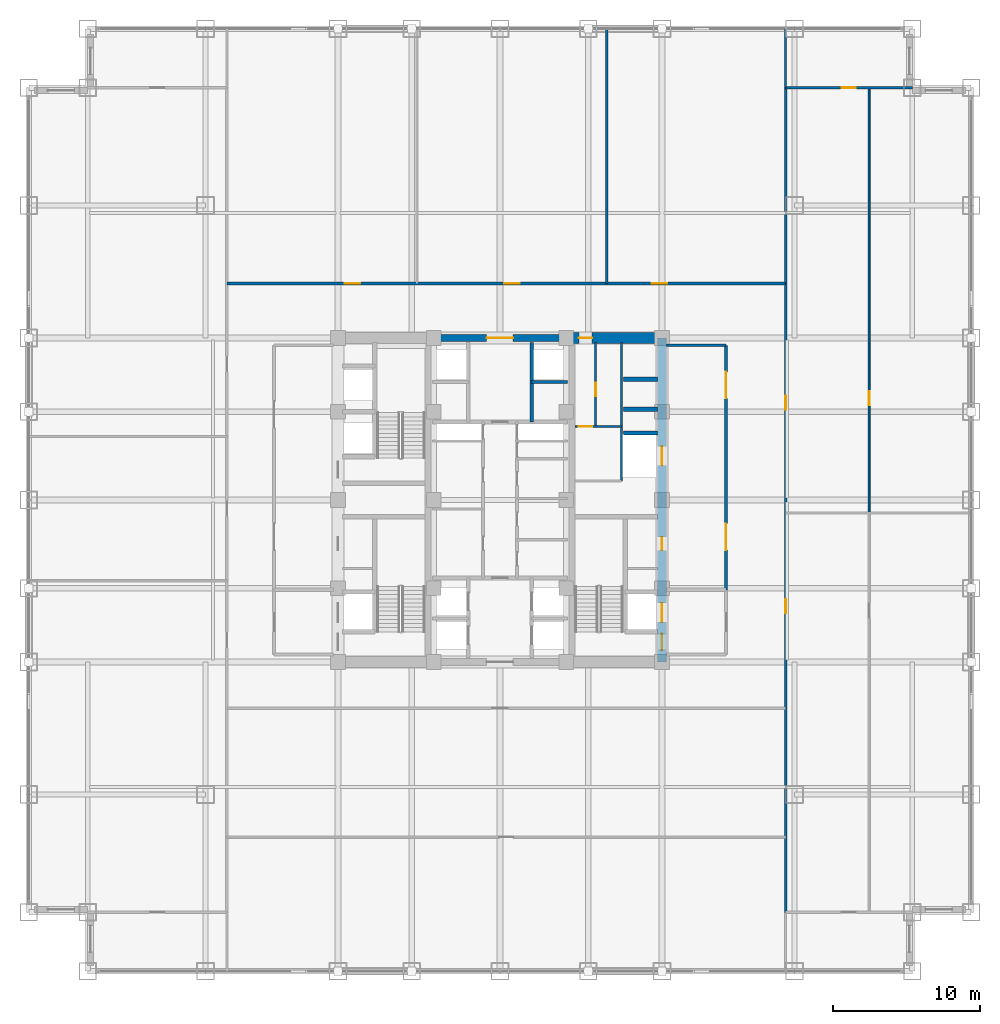
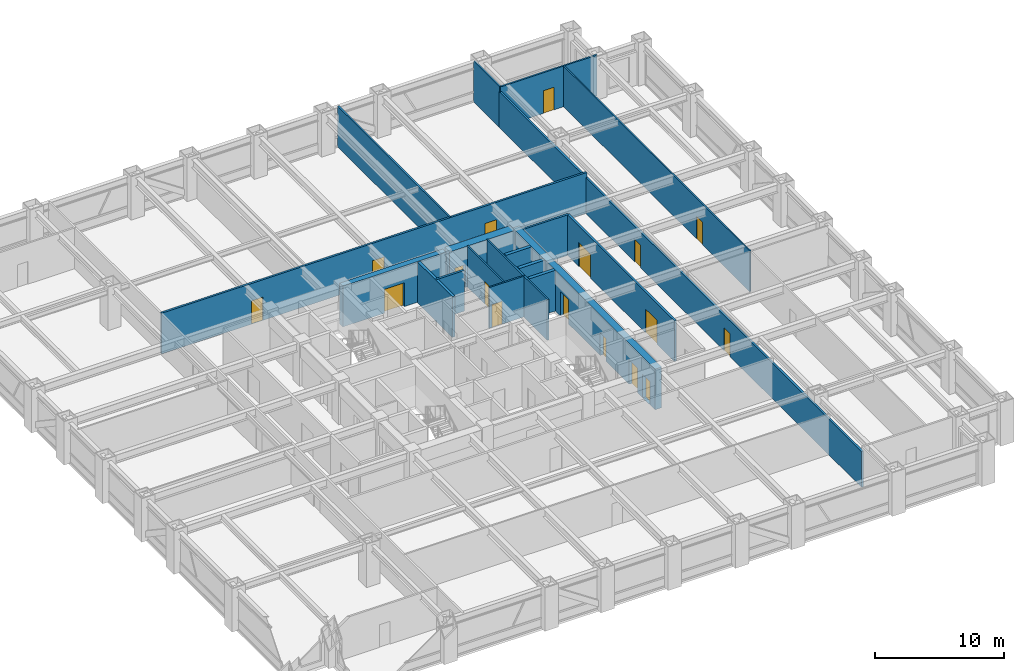
# One storey, part 26 of 28: 19 walls, 17 doors, 17 openings.
"""IFC4 building model written with IfcOpenShell, lengths in metres."""

from ifc_helpers import new_model, si_unit, direction, frame, frame_2d, origin, place, context, subcontext, project, spatial, rectangle, extrude, source, transform, mapped, material, layer, layer_set, type_object, element, fill, save


model = new_model("IFC4")

# Units and contexts
model_context = context("Model", 3, precision=1e-05, world=origin(), true_north=direction((0.0, 1.0)))
body_context = subcontext(model_context, "Body", "Model", "MODEL_VIEW")
ifc_project = project(units=[si_unit("LENGTHUNIT", "METRE"), si_unit("AREAUNIT", "SQUARE_METRE"), si_unit("VOLUMEUNIT", "CUBIC_METRE"), si_unit("PLANEANGLEUNIT", "RADIAN"), si_unit("MASSUNIT", "GRAM", prefix="KILO")], contexts=[model_context])

# Site, building, storey
site_placement = place(None, origin())
site = spatial("IfcSite", under=ifc_project, at=site_placement, CompositionType="ELEMENT")
building_placement = place(site_placement, origin())
building = spatial("IfcBuilding", under=site, at=building_placement, Name="Khorayat Bourse Tower", CompositionType="ELEMENT")
storey_placement = place(building_placement, frame((0.0, 0.0, 116.0)))
storey = spatial("IfcBuildingStorey", under=building, at=storey_placement, Name="L26", CompositionType="ELEMENT", Elevation=116.0)

# Wall, openings, doors
ifc_material_1 = material(Name="Concrete C60/75", Category="concrete")
ifc_layer_1 = layer(ifc_material_1, 0.60009765625)
ifc_layer_set_1 = layer_set([ifc_layer_1], Name="Concrete C60/75")
wall_type_1 = type_object("IfcWallType", Name="WAL-CORE-600", PredefinedType="SHEAR", material=ifc_layer_set_1)
shared_shape_1 = source(origin(), body_context, "Body", "SweptSolid", [
    extrude(rectangle(XDim=22.0, YDim=0.60009765625, at=frame_2d((11.0, 0.0))), origin(), (0.0, 0.0, 1.0), 3.840087890625),
])
wall_1_placement = place(storey_placement, frame((11.0, -11.0, 0.0), z_axis=(0.0, 0.0, 1.0), x_axis=(0.0, 1.0, 0.0)))
wall_1 = element("IfcWall", 1, at=wall_1_placement, inside=storey, type_object=wall_type_1, Name="L26 Core Shear Wall CORE-E", PredefinedType="SHEAR", context=body_context, shape_type="MappedRepresentation", body=[
    mapped(shared_shape_1, transform((0.0, 0.0, 0.0), scale=1.0)),
])
shared_shape_2 = source(origin(), body_context, "Body", "SweptSolid", [
    extrude(rectangle(XDim=1.10009765625, YDim=2.199951171875, at=frame_2d((0.550048828125, 1.10009765625))), frame((0.0, 0.31005859375, 0.0), z_axis=(0.0, -1.0, 0.0), x_axis=(1.0, 0.0, 0.0)), (0.0, 0.0, 1.0), 0.6201171875),
])
opening_1_placement = place(wall_1_placement, frame((0.800048828125, 0.0, 0.0)))
opening_1 = element("IfcOpeningElement", 2, at=opening_1_placement, cuts=wall_1, Name="Opening DI-01", PredefinedType="OPENING", context=body_context, shape_type="MappedRepresentation", body=[
    mapped(shared_shape_2, transform((0.0, 0.0, 0.0), scale=1.0)),
])
shared_shape_3 = source(origin(), body_context, "Body", "SweptSolid", [
    extrude(rectangle(XDim=0.89990234375, YDim=2.14990234375, at=frame_2d((0.449951171875, 1.074951171875))), frame((0.0, 0.31005859375, 0.0), z_axis=(0.0, -1.0, 0.0), x_axis=(1.0, 0.0, 0.0)), (0.0, 0.0, 1.0), 0.6201171875),
])
opening_2_placement = place(wall_1_placement, frame((7.574951171875, 0.0, 0.0)))
opening_2 = element("IfcOpeningElement", 3, at=opening_2_placement, cuts=wall_1, Name="Opening DI-06", PredefinedType="OPENING", context=body_context, shape_type="MappedRepresentation", body=[
    mapped(shared_shape_3, transform((0.0, 0.0, 0.0), scale=1.0)),
])
shared_shape_4 = source(origin(), body_context, "Body", "SweptSolid", [
    extrude(rectangle(XDim=1.300048828125, YDim=2.300048828125, at=frame_2d((0.64990234375, 1.14990234375))), frame((0.0, 0.31005859375, 0.0), z_axis=(0.0, -1.0, 0.0), x_axis=(1.0, 0.0, 0.0)), (0.0, 0.0, 1.0), 0.6201171875),
])
opening_3_placement = place(wall_1_placement, frame((2.699951171875, 0.0, 0.0)))
opening_3 = element("IfcOpeningElement", 4, at=opening_3_placement, cuts=wall_1, Name="Opening LD-02", PredefinedType="OPENING", context=body_context, shape_type="MappedRepresentation", body=[
    mapped(shared_shape_4, transform((0.0, 0.0, 0.0), scale=1.0)),
])
opening_4_placement = place(wall_1_placement, frame((13.35009765625, 0.0, 0.0)))
opening_4 = element("IfcOpeningElement", 5, at=opening_4_placement, cuts=wall_1, Name="Opening LD-02", PredefinedType="OPENING", context=body_context, shape_type="MappedRepresentation", body=[
    mapped(shared_shape_4, transform((0.0, 0.0, 0.0), scale=1.0)),
])
ifc_material_2 = material(Name="Fire-rated steel acoustic leaf", Category="steel")
door_type_1 = type_object("IfcDoorType", Name="DR-INT-STAIR-1100", OperationType="NOTDEFINED", PredefinedType="DOOR", material=ifc_material_2)
shared_shape_5 = source(origin(), body_context, "Body", "SweptSolid", [
    extrude(rectangle(XDim=1.10009765625, YDim=2.199951171875, at=frame_2d((0.550048828125, 1.10009765625))), frame((0.0, 0.02490234375, 0.0), z_axis=(0.0, -1.0, 0.0), x_axis=(1.0, 0.0, 0.0)), (0.0, 0.0, 1.0), 0.050048828125),
])
door_1_placement = place(opening_1_placement, origin())
door_1 = element("IfcDoor", 6, at=door_1_placement, inside=storey, type_object=door_type_1, Name="L26 Exit Stair 3 Door", OperationType="SINGLE_SWING_LEFT", OverallHeight=2.199951171875, OverallWidth=1.10009765625, PredefinedType="DOOR", context=body_context, shape_type="MappedRepresentation", body=[
    mapped(shared_shape_5, transform((0.0, 0.0, 0.0), scale=1.0)),
])
fill(opening_1, door_1)
ifc_material_3 = material(Name="Moisture-resistant laminate washroom door")
door_type_2 = type_object("IfcDoorType", Name="DR-INT-WC-900", OperationType="NOTDEFINED", PredefinedType="DOOR", material=ifc_material_3)
shared_shape_6 = source(origin(), body_context, "Body", "SweptSolid", [
    extrude(rectangle(XDim=0.89990234375, YDim=2.14990234375, at=frame_2d((0.449951171875, 1.074951171875))), frame((0.0, 0.02490234375, 0.0), z_axis=(0.0, -1.0, 0.0), x_axis=(1.0, 0.0, 0.0)), (0.0, 0.0, 1.0), 0.050048828125),
])
door_2_placement = place(opening_2_placement, origin())
door_2 = element("IfcDoor", 7, at=door_2_placement, inside=storey, type_object=door_type_2, Name="L26 Fiber Server Plant Room Door", OperationType="SINGLE_SWING_LEFT", OverallHeight=2.14990234375, OverallWidth=0.89990234375, PredefinedType="DOOR", context=body_context, shape_type="MappedRepresentation", body=[
    mapped(shared_shape_6, transform((0.0, 0.0, 0.0), scale=1.0)),
])
fill(opening_2, door_2)
ifc_material_4 = material(Name="Fire-rated stainless-steel sliding landing door", Category="steel")
door_type_3 = type_object("IfcDoorType", Name="DR-LIFT-FF-1300", OperationType="NOTDEFINED", PredefinedType="DOOR", material=ifc_material_4)
shared_shape_7 = source(origin(), body_context, "Body", "SweptSolid", [
    extrude(rectangle(XDim=1.300048828125, YDim=2.300048828125, at=frame_2d((0.64990234375, 1.14990234375))), frame((0.0, 0.02490234375, 0.0), z_axis=(0.0, -1.0, 0.0), x_axis=(1.0, 0.0, 0.0)), (0.0, 0.0, 1.0), 0.050048828125),
])
door_3_placement = place(opening_3_placement, origin())
door_3 = element("IfcDoor", 8, at=door_3_placement, inside=storey, type_object=door_type_3, Name="L26 Lift FFL-02 Sliding Landing Door", OperationType="SLIDING_TO_LEFT", OverallHeight=2.300048828125, OverallWidth=1.300048828125, PredefinedType="DOOR", context=body_context, shape_type="MappedRepresentation", body=[
    mapped(shared_shape_7, transform((0.0, 0.0, 0.0), scale=1.0)),
])
fill(opening_3, door_3)
door_4_placement = place(opening_4_placement, origin())
door_4 = element("IfcDoor", 9, at=door_4_placement, inside=storey, type_object=door_type_3, Name="L26 Lift SVL-01 Sliding Landing Door", OperationType="SLIDING_TO_LEFT", OverallHeight=2.300048828125, OverallWidth=1.300048828125, PredefinedType="DOOR", context=body_context, shape_type="MappedRepresentation", body=[
    mapped(shared_shape_7, transform((0.0, 0.0, 0.0), scale=1.0)),
])
fill(opening_4, door_4)

# Wall, opening, door
ifc_material_5 = material(Name="Concrete C72/90", Category="concrete")
ifc_layer_2 = layer(ifc_material_5, 0.75)
ifc_layer_set_2 = layer_set([ifc_layer_2], Name="Concrete C72/90")
wall_type_2 = type_object("IfcWallType", Name="WAL-CORE-750", PredefinedType="SHEAR", material=ifc_layer_set_2)
shared_shape_8 = source(origin(), body_context, "Body", "SweptSolid", [
    extrude(rectangle(XDim=5.849853515625, YDim=0.75, at=frame_2d((2.9248046875, 0.0))), origin(), (0.0, 0.0, 1.0), 3.840087890625),
])
wall_2_placement = place(storey_placement, frame((4.85009765625, 11.0, 0.0), z_axis=(0.0, 0.0, 1.0), x_axis=(1.0, 0.0, 0.0)))
wall_2 = element("IfcWall", 10, at=wall_2_placement, inside=storey, type_object=wall_type_2, Name="L26 Core Shear Wall PIER-EN", PredefinedType="SHEAR", context=body_context, shape_type="MappedRepresentation", body=[
    mapped(shared_shape_8, transform((0.0, 0.0, 0.0), scale=1.0)),
])
shared_shape_9 = source(origin(), body_context, "Body", "SweptSolid", [
    extrude(rectangle(XDim=0.89990234375, YDim=2.14990234375, at=frame_2d((0.449951171875, 1.074951171875))), frame((0.0, 0.385009765625, 0.0), z_axis=(0.0, -1.0, 0.0), x_axis=(1.0, 0.0, 0.0)), (0.0, 0.0, 1.0), 0.77001953125),
])
opening_5_placement = place(wall_2_placement, frame((0.5, 0.0, 0.0)))
opening_5 = element("IfcOpeningElement", 11, at=opening_5_placement, cuts=wall_2, Name="Opening DI-06", PredefinedType="OPENING", context=body_context, shape_type="MappedRepresentation", body=[
    mapped(shared_shape_9, transform((0.0, 0.0, 0.0), scale=1.0)),
])
door_5_placement = place(opening_5_placement, origin())
door_5 = element("IfcDoor", 12, at=door_5_placement, inside=storey, type_object=door_type_2, Name="L26 Core Washroom Lobby Door", OperationType="SINGLE_SWING_LEFT", OverallHeight=2.14990234375, OverallWidth=0.89990234375, PredefinedType="DOOR", context=body_context, shape_type="MappedRepresentation", body=[
    mapped(shared_shape_6, transform((0.0, 0.0, 0.0), scale=1.0)),
])
fill(opening_5, door_5)

ifc_material_6 = material(Name="Concrete C52/65", Category="concrete")
ifc_layer_3 = layer(ifc_material_6, 0.5)
ifc_layer_set_3 = layer_set([ifc_layer_3], Name="Concrete C52/65")
wall_type_3 = type_object("IfcWallType", Name="WAL-CORE-500", PredefinedType="SHEAR", material=ifc_layer_set_3)
shared_shape_10 = source(origin(), body_context, "Body", "SweptSolid", [
    extrude(rectangle(XDim=9.2001953125, YDim=0.5, at=frame_2d((4.60009765625, 0.0))), origin(), (0.0, 0.0, 1.0), 3.840087890625),
])
wall_3_placement = place(storey_placement, frame((-4.60009765625, 11.0, 0.0), z_axis=(0.0, 0.0, 1.0), x_axis=(1.0, 0.0, 0.0)))
wall_3 = element("IfcWall", 13, at=wall_3_placement, inside=storey, type_object=wall_type_3, Name="L26 Core Shear Wall CORE-N", PredefinedType="SHEAR", context=body_context, shape_type="MappedRepresentation", body=[
    mapped(shared_shape_10, transform((0.0, 0.0, 0.0), scale=1.0)),
])
shared_shape_11 = source(origin(), body_context, "Body", "SweptSolid", [
    extrude(rectangle(XDim=1.800048828125, YDim=2.25, at=frame_2d((0.89990234375, 1.125))), frame((0.0, 0.260009765625, 0.0), z_axis=(0.0, -1.0, 0.0), x_axis=(1.0, 0.0, 0.0)), (0.0, 0.0, 1.0), 0.52001953125),
])
opening_6_placement = place(wall_3_placement, frame((3.699951171875, 0.0, 0.0)))
opening_6 = element("IfcOpeningElement", 14, at=opening_6_placement, cuts=wall_3, Name="Opening DI-03", PredefinedType="OPENING", context=body_context, shape_type="MappedRepresentation", body=[
    mapped(shared_shape_11, transform((0.0, 0.0, 0.0), scale=1.0)),
])
ifc_material_7 = material(Name="Fire-rated hardwood vision-panel double leaf", Category="wood")
door_type_4 = type_object("IfcDoorType", Name="DR-INT-CORR-1800", OperationType="NOTDEFINED", PredefinedType="DOOR", material=ifc_material_7)
shared_shape_12 = source(origin(), body_context, "Body", "SweptSolid", [
    extrude(rectangle(XDim=1.800048828125, YDim=2.25, at=frame_2d((0.89990234375, 1.125))), frame((0.0, 0.02490234375, 0.0), z_axis=(0.0, -1.0, 0.0), x_axis=(1.0, 0.0, 0.0)), (0.0, 0.0, 1.0), 0.050048828125),
])
door_6_placement = place(opening_6_placement, origin())
door_6 = element("IfcDoor", 15, at=door_6_placement, inside=storey, type_object=door_type_4, Name="L26 Mid-Rise Lift Lobby Door", OperationType="SINGLE_SWING_RIGHT", OverallHeight=2.25, OverallWidth=1.800048828125, PredefinedType="DOOR", context=body_context, shape_type="MappedRepresentation", body=[
    mapped(shared_shape_12, transform((0.0, 0.0, 0.0), scale=1.0)),
])
fill(opening_6, door_6)

# Walls
ifc_material_8 = material(Name="Concrete C50/60", Category="concrete")
ifc_layer_4 = layer(ifc_material_8, 0.300048828125)
ifc_layer_set_4 = layer_set([ifc_layer_4], Name="Concrete C50/60")
wall_type_4 = type_object("IfcWallType", Name="WAL-SHAFT-300", PredefinedType="SHEAR", material=ifc_layer_set_4)
shared_shape_13 = source(origin(), body_context, "Body", "SweptSolid", [
    extrude(rectangle(XDim=2.300048828125, YDim=0.300048828125, at=frame_2d((1.14990234375, 0.0))), origin(), (0.0, 0.0, 1.0), 3.840087890625),
])
for number, where, z_axis, x_axis, name in (
    (16, (8.39990234375, 4.550048828125, 0.0), (0.0, 0.0, 1.0), (1.0, 0.0, 0.0), "L26 Partition WAL-L26-EPIER-SVLN"),
    (17, (8.39990234375, 6.14990234375, 0.0), (0.0, 0.0, 1.0), (1.0, 0.0, 0.0), "L26 Partition WAL-L26-EPIER-H3S"),
    (18, (8.39990234375, 8.199951171875, 0.0), (0.0, 0.0, 1.0), (1.0, 0.0, 0.0), "L26 Partition WAL-L26-EPIER-H34"),
):
    element("IfcWall", number, at=place(storey_placement, frame(where, z_axis=z_axis, x_axis=x_axis)), inside=storey, type_object=wall_type_4, Name=name, PredefinedType="SHEAR", context=body_context, shape_type="MappedRepresentation", body=[
        mapped(shared_shape_13, transform((0.0, 0.0, 0.0), scale=1.0)),
    ])
ifc_material_9 = material(Name="Moisture-resistant masonry partition", Category="masonry")
ifc_layer_5 = layer(ifc_material_9, 0.139892578125)
ifc_layer_set_5 = layer_set([ifc_layer_5], Name="Moisture-resistant masonry partition")
wall_type_5 = type_object("IfcWallType", Name="WAL-PART-WET-140", PredefinedType="PARTITIONING", material=ifc_layer_set_5)
shared_shape_14 = source(origin(), body_context, "Body", "SweptSolid", [
    extrude(rectangle(XDim=9.39990234375, YDim=0.139892578125, at=frame_2d((4.699951171875, 0.0))), origin(), (0.0, 0.0, 1.0), 3.840087890625),
])
wall_4_placement = place(storey_placement, frame((8.25, 1.300048828125, 0.0), z_axis=(0.0, 0.0, 1.0), x_axis=(0.0, 1.0, 0.0)))
element("IfcWall", 19, at=wall_4_placement, inside=storey, type_object=wall_type_5, Name="L26 Partition WAL-L26-ECORE-E", PredefinedType="PARTITIONING", context=body_context, shape_type="MappedRepresentation", body=[
    mapped(shared_shape_14, transform((0.0, 0.0, 0.0), scale=1.0)),
])

# Wall, opening, door
shared_shape_15 = source(origin(), body_context, "Body", "SweptSolid", [
    extrude(rectangle(XDim=3.14990234375, YDim=0.139892578125, at=frame_2d((1.574951171875, 0.0))), origin(), (0.0, 0.0, 1.0), 3.840087890625),
])
wall_5_placement = place(storey_placement, frame((5.10009765625, 5.0, 0.0), z_axis=(0.0, 0.0, 1.0), x_axis=(1.0, 0.0, 0.0)))
wall_5 = element("IfcWall", 20, at=wall_5_placement, inside=storey, type_object=wall_type_5, Name="L26 Partition WAL-L26-ECW-BOT", PredefinedType="PARTITIONING", context=body_context, shape_type="MappedRepresentation", body=[
    mapped(shared_shape_15, transform((0.0, 0.0, 0.0), scale=1.0)),
])
shared_shape_16 = source(origin(), body_context, "Body", "SweptSolid", [
    extrude(rectangle(XDim=0.89990234375, YDim=2.14990234375, at=frame_2d((0.449951171875, 1.074951171875))), frame((0.0, 0.079833984375, 0.0), z_axis=(0.0, -1.0, 0.0), x_axis=(1.0, 0.0, 0.0)), (0.0, 0.0, 1.0), 0.159912109375),
])
opening_7_placement = place(wall_5_placement, frame((0.25, 0.0, 0.0)))
opening_7 = element("IfcOpeningElement", 21, at=opening_7_placement, cuts=wall_5, Name="Opening DI-06", PredefinedType="OPENING", context=body_context, shape_type="MappedRepresentation", body=[
    mapped(shared_shape_16, transform((0.0, 0.0, 0.0), scale=1.0)),
])
door_7_placement = place(opening_7_placement, origin())
door_7 = element("IfcDoor", 22, at=door_7_placement, inside=storey, type_object=door_type_2, Name="L26 Shared Washroom Door", OperationType="SINGLE_SWING_LEFT", OverallHeight=2.14990234375, OverallWidth=0.89990234375, PredefinedType="DOOR", context=body_context, shape_type="MappedRepresentation", body=[
    mapped(shared_shape_6, transform((0.0, 0.0, 0.0), scale=1.0)),
])
fill(opening_7, door_7)

# Wall
ifc_material_10 = material(Name="Gypsum plasterboard acoustic stud wall")
ifc_layer_6 = layer(ifc_material_10, 0.179931640625)
ifc_layer_set_6 = layer_set([ifc_layer_6], Name="Gypsum plasterboard acoustic stud wall")
wall_type_6 = type_object("IfcWallType", Name="WAL-PART-CORR-180", PredefinedType="PARTITIONING", material=ifc_layer_set_6)
shared_shape_17 = source(origin(), body_context, "Body", "SweptSolid", [
    extrude(rectangle(XDim=4.050048828125, YDim=0.179931640625, at=frame_2d((2.02490234375, 0.0))), origin(), (0.0, 0.0, 1.0), 3.840087890625),
])
wall_6_placement = place(storey_placement, frame((11.300048828125, 10.5, 0.0), z_axis=(0.0, 0.0, 1.0), x_axis=(1.0, 0.0, 0.0)))
element("IfcWall", 23, at=wall_6_placement, inside=storey, type_object=wall_type_6, Name="L26 Partition WAL-L26-ELOB-N", PredefinedType="PARTITIONING", context=body_context, shape_type="MappedRepresentation", body=[
    mapped(shared_shape_17, transform((0.0, 0.0, 0.0), scale=1.0)),
])

# Wall, openings, doors
shared_shape_18 = source(origin(), body_context, "Body", "SweptSolid", [
    extrude(rectangle(XDim=16.60009765625, YDim=0.179931640625, at=frame_2d((8.300048828125, 0.0))), origin(), (0.0, 0.0, 1.0), 3.840087890625),
])
wall_7_placement = place(storey_placement, frame((15.35009765625, -6.10009765625, 0.0), z_axis=(0.0, 0.0, 1.0), x_axis=(0.0, 1.0, 0.0)))
wall_7 = element("IfcWall", 24, at=wall_7_placement, inside=storey, type_object=wall_type_6, Name="L26 Partition WAL-L26-ELOB-E", PredefinedType="PARTITIONING", context=body_context, shape_type="MappedRepresentation", body=[
    mapped(shared_shape_18, transform((0.0, 0.0, 0.0), scale=1.0)),
])
shared_shape_19 = source(origin(), body_context, "Body", "SweptSolid", [
    extrude(rectangle(XDim=1.800048828125, YDim=2.25, at=frame_2d((0.89990234375, 1.125))), frame((0.0, 0.099853515625, 0.0), z_axis=(0.0, -1.0, 0.0), x_axis=(1.0, 0.0, 0.0)), (0.0, 0.0, 1.0), 0.199951171875),
])
opening_8_placement = place(wall_7_placement, frame((2.699951171875, 0.0, 0.0)))
opening_8 = element("IfcOpeningElement", 25, at=opening_8_placement, cuts=wall_7, Name="Opening DI-03", PredefinedType="OPENING", context=body_context, shape_type="MappedRepresentation", body=[
    mapped(shared_shape_19, transform((0.0, 0.0, 0.0), scale=1.0)),
])
opening_9_placement = place(wall_7_placement, frame((13.0, 0.0, 0.0)))
opening_9 = element("IfcOpeningElement", 26, at=opening_9_placement, cuts=wall_7, Name="Opening DI-03", PredefinedType="OPENING", context=body_context, shape_type="MappedRepresentation", body=[
    mapped(shared_shape_19, transform((0.0, 0.0, 0.0), scale=1.0)),
])
door_8_placement = place(opening_8_placement, origin())
door_8 = element("IfcDoor", 27, at=door_8_placement, inside=storey, type_object=door_type_4, Name="L26 East Core Lobby South Door", OperationType="SINGLE_SWING_RIGHT", OverallHeight=2.25, OverallWidth=1.800048828125, PredefinedType="DOOR", context=body_context, shape_type="MappedRepresentation", body=[
    mapped(shared_shape_12, transform((0.0, 0.0, 0.0), scale=1.0)),
])
fill(opening_8, door_8)
door_9_placement = place(opening_9_placement, origin())
door_9 = element("IfcDoor", 28, at=door_9_placement, inside=storey, type_object=door_type_4, Name="L26 East Core Lobby North Door", OperationType="SINGLE_SWING_LEFT", OverallHeight=2.25, OverallWidth=1.800048828125, PredefinedType="DOOR", context=body_context, shape_type="MappedRepresentation", body=[
    mapped(shared_shape_12, transform((0.0, 0.0, 0.0), scale=1.0)),
])
fill(opening_9, door_9)

# Walls
shared_shape_20 = source(origin(), body_context, "Body", "SweptSolid", [
    extrude(rectangle(XDim=5.39990234375, YDim=0.25, at=frame_2d((2.699951171875, 0.0))), origin(), (0.0, 0.0, 1.0), 3.840087890625),
])
wall_8_placement = place(storey_placement, frame((2.14990234375, 5.300048828125, 0.0), z_axis=(0.0, 0.0, 1.0), x_axis=(0.0, 1.0, 0.0)))
element("IfcWall", 29, at=wall_8_placement, inside=storey, type_object=wall_type_4, Name="L26 Partition WAL-L26-B2-E", PredefinedType="SHEAR", context=body_context, shape_type="MappedRepresentation", body=[
    mapped(shared_shape_20, transform((0.0, 0.0, 0.0), scale=1.0)),
])
shared_shape_21 = source(origin(), body_context, "Body", "SweptSolid", [
    extrude(rectangle(XDim=2.4501953125, YDim=0.199951171875, at=frame_2d((1.22509765625, 0.0))), origin(), (0.0, 0.0, 1.0), 3.840087890625),
])
wall_9_placement = place(storey_placement, frame((2.14990234375, 8.0, 0.0), z_axis=(0.0, 0.0, 1.0), x_axis=(1.0, 0.0, 0.0)))
element("IfcWall", 30, at=wall_9_placement, inside=storey, type_object=wall_type_4, Name="L26 Partition WAL-L26-B2-ME", PredefinedType="SHEAR", context=body_context, shape_type="MappedRepresentation", body=[
    mapped(shared_shape_21, transform((0.0, 0.0, 0.0), scale=1.0)),
])
ifc_material_11 = material(Name="Gypsum plasterboard twin-frame partition")
ifc_layer_7 = layer(ifc_material_11, 0.14990234375)
ifc_layer_set_7 = layer_set([ifc_layer_7], Name="Gypsum plasterboard twin-frame partition")
wall_type_7 = type_object("IfcWallType", Name="WAL-PART-SUITE-150", PredefinedType="PARTITIONING", material=ifc_layer_set_7)
shared_shape_22 = source(origin(), body_context, "Body", "SweptSolid", [
    extrude(rectangle(XDim=4.0, YDim=0.14990234375, at=frame_2d((2.0, 0.0))), origin(), (0.0, 0.0, 1.0), 3.840087890625),
])
wall_10_placement = place(storey_placement, frame((19.39990234375, 28.0, 0.0), z_axis=(0.0, 0.0, 1.0), x_axis=(0.0, 1.0, 0.0)))
element("IfcWall", 31, at=wall_10_placement, inside=storey, type_object=wall_type_7, Name="L26 Partition WAL-L26-NCE-END", PredefinedType="PARTITIONING", context=body_context, shape_type="MappedRepresentation", body=[
    mapped(shared_shape_22, transform((0.0, 0.0, 0.0), scale=1.0)),
])

# Wall, openings, doors
shared_shape_23 = source(origin(), body_context, "Body", "SweptSolid", [
    extrude(rectangle(XDim=56.0, YDim=0.179931640625, at=frame_2d((28.0, 0.0))), origin(), (0.0, 0.0, 1.0), 3.37109375),
])
wall_11_placement = place(storey_placement, frame((19.39990234375, -28.0, 0.0), z_axis=(0.0, 0.0, 1.0), x_axis=(0.0, 1.0, 0.0)))
wall_11 = element("IfcWall", 32, at=wall_11_placement, inside=storey, type_object=wall_type_6, Name="L26 Partition WAL-L26-ECORR", PredefinedType="PARTITIONING", context=body_context, shape_type="MappedRepresentation", body=[
    mapped(shared_shape_23, transform((0.0, 0.0, 0.0), scale=1.0)),
])
shared_shape_24 = source(origin(), body_context, "Body", "SweptSolid", [
    extrude(rectangle(XDim=0.949951171875, YDim=2.14990234375, at=frame_2d((0.47509765625, 1.074951171875))), frame((0.0, 0.099853515625, 0.0), z_axis=(0.0, -1.0, 0.0), x_axis=(1.0, 0.0, 0.0)), (0.0, 0.0, 1.0), 0.199951171875),
])
opening_10_placement = place(wall_11_placement, frame((20.310546875, 0.0, 0.0)))
opening_10 = element("IfcOpeningElement", 33, at=opening_10_placement, cuts=wall_11, Name="Opening DI-05", PredefinedType="OPENING", context=body_context, shape_type="MappedRepresentation", body=[
    mapped(shared_shape_24, transform((0.0, 0.0, 0.0), scale=1.0)),
])
opening_11_placement = place(wall_11_placement, frame((34.135498046875, 0.0, 0.0)))
opening_11 = element("IfcOpeningElement", 34, at=opening_11_placement, cuts=wall_11, Name="Opening DI-05", PredefinedType="OPENING", context=body_context, shape_type="MappedRepresentation", body=[
    mapped(shared_shape_24, transform((0.0, 0.0, 0.0), scale=1.0)),
])
ifc_material_12 = material(Name="Acoustic oak veneer office door")
door_type_5 = type_object("IfcDoorType", Name="DR-INT-OFFICE-950", OperationType="NOTDEFINED", PredefinedType="DOOR", material=ifc_material_12)
shared_shape_25 = source(origin(), body_context, "Body", "SweptSolid", [
    extrude(rectangle(XDim=0.949951171875, YDim=2.14990234375, at=frame_2d((0.47509765625, 1.074951171875))), frame((0.0, 0.02490234375, 0.0), z_axis=(0.0, -1.0, 0.0), x_axis=(1.0, 0.0, 0.0)), (0.0, 0.0, 1.0), 0.050048828125),
])
door_10_placement = place(opening_10_placement, origin())
door_10 = element("IfcDoor", 35, at=door_10_placement, inside=storey, type_object=door_type_5, Name="L26 Clearing Operations Office E1 Door", OperationType="SINGLE_SWING_RIGHT", OverallHeight=2.14990234375, OverallWidth=0.949951171875, PredefinedType="DOOR", context=body_context, shape_type="MappedRepresentation", body=[
    mapped(shared_shape_25, transform((0.0, 0.0, 0.0), scale=1.0)),
])
fill(opening_10, door_10)
door_11_placement = place(opening_11_placement, origin())
door_11 = element("IfcDoor", 36, at=door_11_placement, inside=storey, type_object=door_type_5, Name="L26 Members Exchange Lounge E2 Door", OperationType="SINGLE_SWING_LEFT", OverallHeight=2.14990234375, OverallWidth=0.949951171875, PredefinedType="DOOR", context=body_context, shape_type="MappedRepresentation", body=[
    mapped(shared_shape_25, transform((0.0, 0.0, 0.0), scale=1.0)),
])
fill(opening_11, door_11)

# Wall, opening, door
shared_shape_26 = source(origin(), body_context, "Body", "SweptSolid", [
    extrude(rectangle(XDim=8.60009765625, YDim=0.14990234375, at=frame_2d((4.300048828125, 0.0))), origin(), (0.0, 0.0, 1.0), 3.840087890625),
])
wall_12_placement = place(storey_placement, frame((19.39990234375, 28.0, 0.0), z_axis=(0.0, 0.0, 1.0), x_axis=(1.0, 0.0, 0.0)))
wall_12 = element("IfcWall", 37, at=wall_12_placement, inside=storey, type_object=wall_type_7, Name="L26 Partition WAL-L26-CNE", PredefinedType="PARTITIONING", context=body_context, shape_type="MappedRepresentation", body=[
    mapped(shared_shape_26, transform((0.0, 0.0, 0.0), scale=1.0)),
])
shared_shape_27 = source(origin(), body_context, "Body", "SweptSolid", [
    extrude(rectangle(XDim=0.949951171875, YDim=2.14990234375, at=frame_2d((0.47509765625, 1.074951171875))), frame((0.0, 0.0849609375, 0.0), z_axis=(0.0, -1.0, 0.0), x_axis=(1.0, 0.0, 0.0)), (0.0, 0.0, 1.0), 0.169921875),
])
opening_12_placement = place(wall_12_placement, frame((3.824951171875, 0.0, 0.0)))
opening_12 = element("IfcOpeningElement", 38, at=opening_12_placement, cuts=wall_12, Name="Opening DI-05", PredefinedType="OPENING", context=body_context, shape_type="MappedRepresentation", body=[
    mapped(shared_shape_27, transform((0.0, 0.0, 0.0), scale=1.0)),
])
door_12_placement = place(opening_12_placement, origin())
door_12 = element("IfcDoor", 39, at=door_12_placement, inside=storey, type_object=door_type_5, Name="L26 North-East Corner Lounge Door", OperationType="SINGLE_SWING_LEFT", OverallHeight=2.14990234375, OverallWidth=0.949951171875, PredefinedType="DOOR", context=body_context, shape_type="MappedRepresentation", body=[
    mapped(shared_shape_25, transform((0.0, 0.0, 0.0), scale=1.0)),
])
fill(opening_12, door_12)

shared_shape_28 = source(origin(), body_context, "Body", "SweptSolid", [
    extrude(rectangle(XDim=5.699951171875, YDim=0.139892578125, at=frame_2d((2.85009765625, 0.0))), origin(), (0.0, 0.0, 1.0), 3.840087890625),
])
wall_13_placement = place(storey_placement, frame((6.5, 5.0, 0.0), z_axis=(0.0, 0.0, 1.0), x_axis=(0.0, 1.0, 0.0)))
wall_13 = element("IfcWall", 40, at=wall_13_placement, inside=storey, type_object=wall_type_5, Name="L26 Partition WAL-L26-ECW-MID", PredefinedType="PARTITIONING", context=body_context, shape_type="MappedRepresentation", body=[
    mapped(shared_shape_28, transform((0.0, 0.0, 0.0), scale=1.0)),
])
opening_13_placement = place(wall_13_placement, frame((2.050048828125, 0.0, 0.0)))
opening_13 = element("IfcOpeningElement", 41, at=opening_13_placement, cuts=wall_13, Name="Opening DI-06", PredefinedType="OPENING", context=body_context, shape_type="MappedRepresentation", body=[
    mapped(shared_shape_16, transform((0.0, 0.0, 0.0), scale=1.0)),
])
door_13_placement = place(opening_13_placement, origin())
door_13 = element("IfcDoor", 42, at=door_13_placement, inside=storey, type_object=door_type_2, Name="L26 Accessible WC Door", OperationType="SINGLE_SWING_RIGHT", OverallHeight=2.14990234375, OverallWidth=0.89990234375, PredefinedType="DOOR", context=body_context, shape_type="MappedRepresentation", body=[
    mapped(shared_shape_6, transform((0.0, 0.0, 0.0), scale=1.0)),
])
fill(opening_13, door_13)

# Wall, openings, doors
shared_shape_29 = source(origin(), body_context, "Body", "SweptSolid", [
    extrude(rectangle(XDim=37.949951171875, YDim=0.179931640625, at=frame_2d((18.97509765625, 0.0))), origin(), (0.0, 0.0, 1.0), 3.840087890625),
])
wall_14_placement = place(storey_placement, frame((-18.550048828125, 14.699951171875, 0.0), z_axis=(0.0, 0.0, 1.0), x_axis=(1.0, 0.0, 0.0)))
wall_14 = element("IfcWall", 43, at=wall_14_placement, inside=storey, type_object=wall_type_6, Name="L26 Partition WAL-L26-NCORR", PredefinedType="PARTITIONING", context=body_context, shape_type="MappedRepresentation", body=[
    mapped(shared_shape_29, transform((0.0, 0.0, 0.0), scale=1.0)),
])
shared_shape_30 = source(origin(), body_context, "Body", "SweptSolid", [
    extrude(rectangle(XDim=1.050048828125, YDim=2.199951171875, at=frame_2d((0.52490234375, 1.10009765625))), frame((0.0, 0.099853515625, 0.0), z_axis=(0.0, -1.0, 0.0), x_axis=(1.0, 0.0, 0.0)), (0.0, 0.0, 1.0), 0.199951171875),
])
opening_14_placement = place(wall_14_placement, frame((8.00146484375, 0.0, 0.0)))
opening_14 = element("IfcOpeningElement", 44, at=opening_14_placement, cuts=wall_14, Name="Opening DI-04", PredefinedType="OPENING", context=body_context, shape_type="MappedRepresentation", body=[
    mapped(shared_shape_30, transform((0.0, 0.0, 0.0), scale=1.0)),
])
opening_15_placement = place(wall_14_placement, frame((18.82958984375, 0.0, 0.0)))
opening_15 = element("IfcOpeningElement", 45, at=opening_15_placement, cuts=wall_14, Name="Opening DI-04", PredefinedType="OPENING", context=body_context, shape_type="MappedRepresentation", body=[
    mapped(shared_shape_30, transform((0.0, 0.0, 0.0), scale=1.0)),
])
opening_16_placement = place(wall_14_placement, frame((28.85302734375, 0.0, 0.0)))
opening_16 = element("IfcOpeningElement", 46, at=opening_16_placement, cuts=wall_14, Name="Opening DI-04", PredefinedType="OPENING", context=body_context, shape_type="MappedRepresentation", body=[
    mapped(shared_shape_30, transform((0.0, 0.0, 0.0), scale=1.0)),
])
ifc_material_13 = material(Name="Fire-rated oak veneer suite entrance door")
door_type_6 = type_object("IfcDoorType", Name="DR-INT-SUITE-1050", OperationType="NOTDEFINED", PredefinedType="DOOR", material=ifc_material_13)
shared_shape_31 = source(origin(), body_context, "Body", "SweptSolid", [
    extrude(rectangle(XDim=1.050048828125, YDim=2.199951171875, at=frame_2d((0.52490234375, 1.10009765625))), frame((0.0, 0.02490234375, 0.0), z_axis=(0.0, -1.0, 0.0), x_axis=(1.0, 0.0, 0.0)), (0.0, 0.0, 1.0), 0.050048828125),
])
door_14_placement = place(opening_14_placement, origin())
door_14 = element("IfcDoor", 47, at=door_14_placement, inside=storey, type_object=door_type_6, Name="L26 Market Risk Analytics Workspace N1 Door", OperationType="SINGLE_SWING_RIGHT", OverallHeight=2.199951171875, OverallWidth=1.050048828125, PredefinedType="DOOR", context=body_context, shape_type="MappedRepresentation", body=[
    mapped(shared_shape_31, transform((0.0, 0.0, 0.0), scale=1.0)),
])
fill(opening_14, door_14)
door_15_placement = place(opening_15_placement, origin())
door_15 = element("IfcDoor", 48, at=door_15_placement, inside=storey, type_object=door_type_6, Name="L26 Equities Trading Desk N2 Door", OperationType="SINGLE_SWING_LEFT", OverallHeight=2.199951171875, OverallWidth=1.050048828125, PredefinedType="DOOR", context=body_context, shape_type="MappedRepresentation", body=[
    mapped(shared_shape_31, transform((0.0, 0.0, 0.0), scale=1.0)),
])
fill(opening_15, door_15)
door_16_placement = place(opening_16_placement, origin())
door_16 = element("IfcDoor", 49, at=door_16_placement, inside=storey, type_object=door_type_6, Name="L26 Quantitative Research Study N3 Door", OperationType="SINGLE_SWING_RIGHT", OverallHeight=2.199951171875, OverallWidth=1.050048828125, PredefinedType="DOOR", context=body_context, shape_type="MappedRepresentation", body=[
    mapped(shared_shape_31, transform((0.0, 0.0, 0.0), scale=1.0)),
])
fill(opening_16, door_16)

# Wall
shared_shape_32 = source(origin(), body_context, "Body", "SweptSolid", [
    extrude(rectangle(XDim=17.300048828125, YDim=0.14990234375, at=frame_2d((8.64990234375, 0.0))), origin(), (0.0, 0.0, 1.0), 3.840087890625),
])
wall_15_placement = place(storey_placement, frame((7.256103515625, 14.699951171875, 0.0), z_axis=(0.0, 0.0, 1.0), x_axis=(0.0, 1.0, 0.0)))
element("IfcWall", 50, at=wall_15_placement, inside=storey, type_object=wall_type_7, Name="L26 Partition WAL-L26-NDV-2", PredefinedType="PARTITIONING", context=body_context, shape_type="MappedRepresentation", body=[
    mapped(shared_shape_32, transform((0.0, 0.0, 0.0), scale=1.0)),
])

# Wall, opening, door
ifc_material_14 = material(Name="Gypsum plasterboard partition")
ifc_layer_8 = layer(ifc_material_14, 0.125)
ifc_layer_set_8 = layer_set([ifc_layer_8], Name="Gypsum plasterboard partition")
wall_type_8 = type_object("IfcWallType", Name="WAL-PART-ROOM-125", PredefinedType="PARTITIONING", material=ifc_layer_set_8)
shared_shape_33 = source(origin(), body_context, "Body", "SweptSolid", [
    extrude(rectangle(XDim=28.87890625, YDim=0.125, at=frame_2d((14.439453125, 0.0))), origin(), (0.0, 0.0, 1.0), 3.840087890625),
])
wall_16_placement = place(storey_placement, frame((25.070068359375, -0.87890625, 0.0), z_axis=(0.0, 0.0, 1.0), x_axis=(0.0, 1.0, 0.0)))
wall_16 = element("IfcWall", 51, at=wall_16_placement, inside=storey, type_object=wall_type_8, Name="L26 Partition WAL-L26-EDP-2", PredefinedType="PARTITIONING", context=body_context, shape_type="MappedRepresentation", body=[
    mapped(shared_shape_33, transform((0.0, 0.0, 0.0), scale=1.0)),
])
shared_shape_34 = source(origin(), body_context, "Body", "SweptSolid", [
    extrude(rectangle(XDim=0.949951171875, YDim=2.14990234375, at=frame_2d((0.47509765625, 1.074951171875))), frame((0.0, 0.072509765625, 0.0), z_axis=(0.0, -1.0, 0.0), x_axis=(1.0, 0.0, 0.0)), (0.0, 0.0, 1.0), 0.14501953125),
])
opening_17_placement = place(wall_16_placement, frame((7.314453125, 0.0, 0.0)))
opening_17 = element("IfcOpeningElement", 52, at=opening_17_placement, cuts=wall_16, Name="Opening DI-05", PredefinedType="OPENING", context=body_context, shape_type="MappedRepresentation", body=[
    mapped(shared_shape_34, transform((0.0, 0.0, 0.0), scale=1.0)),
])
door_17_placement = place(opening_17_placement, origin())
door_17 = element("IfcDoor", 53, at=door_17_placement, inside=storey, type_object=door_type_5, Name="L26 Equities Trading Desk E2B Door", OperationType="SINGLE_SWING_LEFT", OverallHeight=2.14990234375, OverallWidth=0.949951171875, PredefinedType="DOOR", context=body_context, shape_type="MappedRepresentation", body=[
    mapped(shared_shape_25, transform((0.0, 0.0, 0.0), scale=1.0)),
])
fill(opening_17, door_17)

save(model, "model.ifc")
